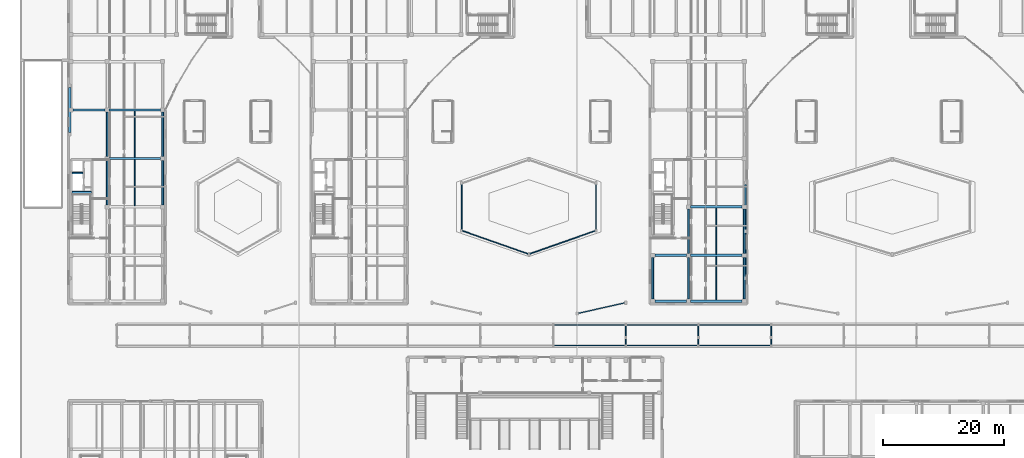
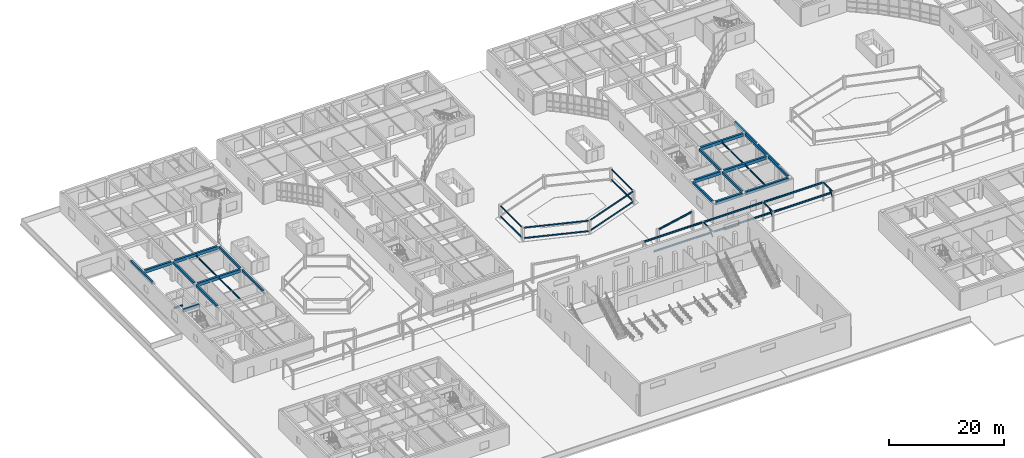
# One storey, part 22 of 114: 36 beams, 11 members.
"""IFC4 building model written with IfcOpenShell, lengths in metres."""

from ifc_helpers import new_model, si_unit, direction, frame, origin, origin_2d, place, context, subcontext, project, spatial, rectangle, hollow_rectangle, i_section, extrude, material, material_profile, profile_set, type_object, element, save


model = new_model("IFC4")

# Units and contexts
model_context = context("Model", 3, precision=1e-05, world=origin(), true_north=direction((0.0, 1.0)))
body_context = subcontext(model_context, "Body", "Model", "MODEL_VIEW")
ifc_project = project(units=[si_unit("LENGTHUNIT", "METRE"), si_unit("AREAUNIT", "SQUARE_METRE"), si_unit("VOLUMEUNIT", "CUBIC_METRE"), si_unit("PLANEANGLEUNIT", "RADIAN"), si_unit("MASSUNIT", "GRAM", prefix="KILO")], contexts=[model_context])

# Site, building, storey
site_placement = place(None, origin())
site = spatial("IfcSite", under=ifc_project, at=site_placement, CompositionType="ELEMENT")
building_placement = place(site_placement, origin())
building = spatial("IfcBuilding", under=site, at=building_placement, Name="Keldmere Railside Commons", CompositionType="ELEMENT")
storey_placement = place(building_placement, origin())
storey = spatial("IfcBuildingStorey", under=building, at=storey_placement, Name="L00", CompositionType="ELEMENT", Elevation=0.0)

# Members
ifc_material_1 = material(Name="Steel F-36 (S355)", Category="steel")
ifc_material_profile_1 = material_profile(ifc_material_1, hollow_rectangle(XDim=0.14990234375, YDim=0.25, WallThickness=0.010009765625, at=origin_2d()), Name="RHS-250x150x10")
ifc_profile_set_1 = profile_set([ifc_material_profile_1], Name="Steel F-36 (S355)")
member_type_1 = type_object("IfcMemberType", Name="Balcony Continuous Planted Trough RHS250x150", PredefinedType="CHORD", material=ifc_profile_set_1)
for number, where, z_axis, x_axis, name in (
    (1, (73.0283203125, 68.060302734375, 0.449951171875), (0.943312144893, -0.331906910591, 0.0), (0.331906910591, 0.943312144893, 0.0), "PLT-1 MEM-HEXPLT-0069"),
    (2, (73.0283203125, 68.060302734375, 2.64990234375), (0.943312144893, -0.331906910591, 0.0), (0.331906910591, 0.943312144893, 0.0), "PLT-1 MEM-HEXPLT-0070"),
    (3, (84.11328125, 64.23974609375, 0.449951171875), (0.943312144893, 0.331906910591, 0.0), (-0.331906910591, 0.943312144893, 0.0), "PLT-1 MEM-HEXPLT-0071"),
    (4, (84.11328125, 64.23974609375, 2.64990234375), (0.943312144893, 0.331906910591, 0.0), (-0.331906910591, 0.943312144893, 0.0), "PLT-1 MEM-HEXPLT-0072"),
):
    element("IfcMember", number, at=place(storey_placement, frame(where, z_axis=z_axis, x_axis=x_axis)), inside=storey, type_object=member_type_1, Name=name, PredefinedType="CHORD", context=body_context, shape_type="SweptSolid", body=[
        extrude(hollow_rectangle(XDim=0.14990234375, YDim=0.25, WallThickness=0.010009765625, at=origin_2d()), origin(), (0.0, 0.0, 1.0), 11.510986328125),
    ])
for number, where, z_axis, x_axis, name in (
    (5, (95.0849609375, 68.219970703125, 0.449951171875), (0.0, 1.0, 0.0), (-1.0, 0.0, 0.0), "PLT-1 MEM-HEXPLT-0073"),
    (6, (95.0849609375, 68.219970703125, 2.64990234375), (0.0, 1.0, 0.0), (-1.0, 0.0, 0.0), "PLT-1 MEM-HEXPLT-0074"),
    (7, (72.9150390625, 75.780029296875, 0.449951171875), (0.0, -1.0, 0.0), (1.0, 0.0, 0.0), "PLT-1 MEM-HEXPLT-0079"),
    (8, (72.9150390625, 75.780029296875, 2.64990234375), (0.0, -1.0, 0.0), (1.0, 0.0, 0.0), "PLT-1 MEM-HEXPLT-0080"),
):
    element("IfcMember", number, at=place(storey_placement, frame(where, z_axis=z_axis, x_axis=x_axis)), inside=storey, type_object=member_type_1, Name=name, PredefinedType="CHORD", context=body_context, shape_type="SweptSolid", body=[
        extrude(hollow_rectangle(XDim=0.14990234375, YDim=0.25, WallThickness=0.010009765625, at=origin_2d()), origin(), (0.0, 0.0, 1.0), 7.56005859375),
    ])

# Beams
ifc_material_profile_2 = material_profile(ifc_material_1, i_section(OverallWidth=0.169921875, OverallDepth=0.360107421875, WebThickness=0.008056640625, FlangeThickness=0.0126953125, at=origin_2d()), Name="IPE-360")
ifc_profile_set_2 = profile_set([ifc_material_profile_2], Name="Steel F-36 (S355)")
beam_type_1 = type_object("IfcBeamType", Name="Colonnade Canopy Girder IPE360", PredefinedType="BEAM", material=ifc_profile_set_2)
beam_1_placement = place(storey_placement, frame((88.159912109375, 49.10009765625, 3.830078125), z_axis=(1.0, 0.0, 0.0), x_axis=(0.0, 1.0, 0.0)))
element("IfcBeam", 9, at=beam_1_placement, inside=storey, type_object=beam_type_1, Name="CNB-1 BM-L00-2682", PredefinedType="BEAM", context=body_context, shape_type="SweptSolid", body=[
    extrude(i_section(OverallWidth=0.169921875, OverallDepth=0.360107421875, WebThickness=0.008056640625, FlangeThickness=0.0126953125, at=origin_2d()), origin(), (0.0, 0.0, 1.0), 11.68017578125),
])
beam_2_placement = place(storey_placement, frame((88.135009765625, 52.5, 3.830078125), z_axis=(1.0, 0.0, 0.0), x_axis=(0.0, 1.0, 0.0)))
element("IfcBeam", 10, at=beam_2_placement, inside=storey, type_object=beam_type_1, Name="CNB-1 BM-L00-2683", PredefinedType="BEAM", context=body_context, shape_type="SweptSolid", body=[
    extrude(i_section(OverallWidth=0.169921875, OverallDepth=0.360107421875, WebThickness=0.008056640625, FlangeThickness=0.0126953125, at=origin_2d()), origin(), (0.0, 0.0, 1.0), 11.72998046875),
])
beam_3_placement = place(storey_placement, frame((100.159912109375, 49.10009765625, 3.830078125), z_axis=(1.0, 0.0, 0.0), x_axis=(0.0, 1.0, 0.0)))
element("IfcBeam", 11, at=beam_3_placement, inside=storey, type_object=beam_type_1, Name="CNB-1 BM-L00-2684", PredefinedType="BEAM", context=body_context, shape_type="SweptSolid", body=[
    extrude(i_section(OverallWidth=0.169921875, OverallDepth=0.360107421875, WebThickness=0.008056640625, FlangeThickness=0.0126953125, at=origin_2d()), origin(), (0.0, 0.0, 1.0), 11.68017578125),
])
beam_4_placement = place(storey_placement, frame((100.135009765625, 52.5, 3.830078125), z_axis=(1.0, 0.0, 0.0), x_axis=(0.0, 1.0, 0.0)))
element("IfcBeam", 12, at=beam_4_placement, inside=storey, type_object=beam_type_1, Name="CNB-1 BM-L00-2685", PredefinedType="BEAM", context=body_context, shape_type="SweptSolid", body=[
    extrude(i_section(OverallWidth=0.169921875, OverallDepth=0.360107421875, WebThickness=0.008056640625, FlangeThickness=0.0126953125, at=origin_2d()), origin(), (0.0, 0.0, 1.0), 11.72998046875),
])
beam_5_placement = place(storey_placement, frame((112.159912109375, 49.10009765625, 3.830078125), z_axis=(1.0, 0.0, 0.0), x_axis=(0.0, 1.0, 0.0)))
element("IfcBeam", 13, at=beam_5_placement, inside=storey, type_object=beam_type_1, Name="CNB-1 BM-L00-2686", PredefinedType="BEAM", context=body_context, shape_type="SweptSolid", body=[
    extrude(i_section(OverallWidth=0.169921875, OverallDepth=0.360107421875, WebThickness=0.008056640625, FlangeThickness=0.0126953125, at=origin_2d()), origin(), (0.0, 0.0, 1.0), 11.68017578125),
])
beam_6_placement = place(storey_placement, frame((112.135009765625, 52.5, 3.830078125), z_axis=(1.0, 0.0, 0.0), x_axis=(0.0, 1.0, 0.0)))
element("IfcBeam", 14, at=beam_6_placement, inside=storey, type_object=beam_type_1, Name="CNB-1 BM-L00-2687", PredefinedType="BEAM", context=body_context, shape_type="SweptSolid", body=[
    extrude(i_section(OverallWidth=0.169921875, OverallDepth=0.360107421875, WebThickness=0.008056640625, FlangeThickness=0.0126953125, at=origin_2d()), origin(), (0.0, 0.0, 1.0), 11.72998046875),
])
beam_7_placement = place(storey_placement, frame((92.195068359375, 54.44384765625, 3.830078125), z_axis=(0.975611431841, 0.219504747241, 0.0), x_axis=(-0.219504747241, 0.975611431841, 0.0)))
element("IfcBeam", 15, at=beam_7_placement, inside=storey, type_object=beam_type_1, Name="CNB-1 BM-L00-2717", PredefinedType="BEAM", context=body_context, shape_type="SweptSolid", body=[
    extrude(i_section(OverallWidth=0.169921875, OverallDepth=0.360107421875, WebThickness=0.008056640625, FlangeThickness=0.0126953125, at=origin_2d()), origin(), (0.0, 0.0, 1.0), 7.800048828125),
])

# Member
ifc_material_profile_3 = material_profile(ifc_material_1, hollow_rectangle(XDim=0.1201171875, YDim=0.199951171875, WallThickness=0.008056640625, at=origin_2d()), Name="RHS-200x120x8")
ifc_profile_set_3 = profile_set([ifc_material_profile_3], Name="Steel F-36 (S355)")
member_type_2 = type_object("IfcMemberType", Name="Colonnade Canopy Raking Strut RHS200x120", PredefinedType="STRUT", material=ifc_profile_set_3)
member_placement = place(storey_placement, frame((112.0, 49.159912109375, 2.75), z_axis=(0.0, 0.757989431665, 0.65226683304), x_axis=(-1.0, 0.0, 0.0)))
element("IfcMember", 16, at=member_placement, inside=storey, type_object=member_type_2, Name="STR-1 MEM-STR-046", PredefinedType="STRUT", context=body_context, shape_type="SweptSolid", body=[
    extrude(hollow_rectangle(XDim=0.1201171875, YDim=0.199951171875, WallThickness=0.008056640625, at=origin_2d()), origin(), (0.0, 0.0, 1.0), 1.701904296875),
])

# Beams
ifc_material_profile_4 = material_profile(ifc_material_1, hollow_rectangle(XDim=0.14990234375, YDim=0.25, WallThickness=0.010009765625, at=origin_2d()), Name="RHS-250x150x10")
ifc_profile_set_4 = profile_set([ifc_material_profile_4], Name="Steel F-36 (S355)")
beam_type_2 = type_object("IfcBeamType", Name="Colonnade Transverse Tie RHS250x150", PredefinedType="BEAM", material=ifc_profile_set_4)
for number, where, z_axis, x_axis, name in (
    (17, (100.0, 49.260009765625, 3.8798828125), (0.0, 1.0, 0.0), (-1.0, 0.0, 0.0), "CNB-2 BM-L00-2703"),
    (18, (112.0, 49.260009765625, 3.8798828125), (0.0, 1.0, 0.0), (-1.0, 0.0, 0.0), "CNB-2 BM-L00-2704"),
    (19, (124.0, 49.260009765625, 3.8798828125), (0.0, 1.0, 0.0), (-1.0, 0.0, 0.0), "CNB-2 BM-L00-2705"),
):
    element("IfcBeam", number, at=place(storey_placement, frame(where, z_axis=z_axis, x_axis=x_axis)), inside=storey, type_object=beam_type_2, Name=name, PredefinedType="BEAM", context=body_context, shape_type="SweptSolid", body=[
        extrude(hollow_rectangle(XDim=0.14990234375, YDim=0.25, WallThickness=0.010009765625, at=origin_2d()), origin(), (0.0, 0.0, 1.0), 3.10498046875),
    ])
ifc_material_2 = material(Name="Concrete H-35 (C35/45)", Category="concrete")
ifc_material_profile_5 = material_profile(ifc_material_2, rectangle(XDim=0.300048828125, YDim=0.64990234375, at=origin_2d()), Name="RC-300x650")
ifc_profile_set_5 = profile_set([ifc_material_profile_5], Name="Concrete H-35 (C35/45)")
beam_type_3 = type_object("IfcBeamType", Name="Core Coupling RC Beam 300x650", PredefinedType="BEAM", material=ifc_profile_set_5)
beam_8_placement = place(storey_placement, frame((8.590087890625, 74.39990234375, 3.8349609375), z_axis=(1.0, 0.0, 0.0), x_axis=(0.0, 1.0, 0.0)))
element("IfcBeam", 20, at=beam_8_placement, inside=storey, type_object=beam_type_3, Name="CB-1 BM-L00-2539", PredefinedType="BEAM", context=body_context, shape_type="SweptSolid", body=[
    extrude(rectangle(XDim=0.300048828125, YDim=0.64990234375, at=origin_2d()), origin(), (0.0, 0.0, 1.0), 3.18994140625),
])

# Members
ifc_material_profile_6 = material_profile(ifc_material_1, hollow_rectangle(XDim=0.10009765625, YDim=0.159912109375, WallThickness=0.008056640625, at=origin_2d()), Name="RHS-160x100x8")
ifc_profile_set_6 = profile_set([ifc_material_profile_6], Name="Steel F-36 (S355)")
member_type_3 = type_object("IfcMemberType", Name="Entrance Marquee Strut RHS160x100", PredefinedType="STRUT", material=ifc_profile_set_6)
for number, where, z_axis, x_axis, name in (
    (21, (100.0, 49.159912109375, 2.75), (0.0, 0.757989431665, 0.65226683304), (-1.0, 0.0, 0.0), "STR-2 MEM-STR-045"),
    (22, (124.0, 49.159912109375, 2.75), (0.0, 0.757989431665, 0.65226683304), (-1.0, 0.0, 0.0), "STR-2 MEM-STR-047"),
):
    element("IfcMember", number, at=place(storey_placement, frame(where, z_axis=z_axis, x_axis=x_axis)), inside=storey, type_object=member_type_3, Name=name, PredefinedType="STRUT", context=body_context, shape_type="SweptSolid", body=[
        extrude(hollow_rectangle(XDim=0.10009765625, YDim=0.159912109375, WallThickness=0.008056640625, at=origin_2d()), origin(), (0.0, 0.0, 1.0), 1.701904296875),
    ])

# Beams
ifc_material_3 = material(Name="Concrete H-30 (C30/37)", Category="concrete")
ifc_material_profile_7 = material_profile(ifc_material_3, rectangle(XDim=0.25, YDim=0.35009765625, at=origin_2d()), Name="RC-250x350")
ifc_profile_set_7 = profile_set([ifc_material_profile_7], Name="Concrete H-30 (C30/37)")
beam_type_4 = type_object("IfcBeamType", Name="Masonry Opening RC Lintel 250x350", PredefinedType="LINTEL", material=ifc_profile_set_7)
beam_9_placement = place(storey_placement, frame((8.590087890625, 77.60009765625, 2.425048828125), z_axis=(1.0, 0.0, 0.0), x_axis=(0.0, 1.0, 0.0)))
element("IfcBeam", 23, at=beam_9_placement, inside=storey, type_object=beam_type_4, Name="LNT-1 BM-L00-2540", PredefinedType="LINTEL", context=body_context, shape_type="SweptSolid", body=[
    extrude(rectangle(XDim=0.25, YDim=0.35009765625, at=origin_2d()), origin(), (0.0, 0.0, 1.0), 1.809814453125),
])
ifc_material_profile_8 = material_profile(ifc_material_1, i_section(OverallWidth=0.14990234375, OverallDepth=0.300048828125, WebThickness=0.007080078125, FlangeThickness=0.0107421875, at=origin_2d()), Name="IPE-300")
ifc_profile_set_8 = profile_set([ifc_material_profile_8], Name="Steel F-36 (S355)")
beam_type_5 = type_object("IfcBeamType", Name="Podium & Arcade Steel Joist IPE300", PredefinedType="JOIST", material=ifc_profile_set_8)
beam_10_placement = place(storey_placement, frame((114.949951171875, 56.64990234375, 3.739990234375), z_axis=(0.0, 1.0, 0.0), x_axis=(-1.0, 0.0, 0.0)))
element("IfcBeam", 24, at=beam_10_placement, inside=storey, type_object=beam_type_5, Name="JST-1 BM-L00-0697", PredefinedType="JOIST", context=body_context, shape_type="SweptSolid", body=[
    extrude(i_section(OverallWidth=0.14990234375, OverallDepth=0.300048828125, WebThickness=0.007080078125, FlangeThickness=0.0107421875, at=origin_2d()), origin(), (0.0, 0.0, 1.0), 7.150146484375),
])
for number, where, z_axis, x_axis, name in (
    (25, (114.949951171875, 64.199951171875, 3.739990234375), (0.0, 1.0, 0.0), (-1.0, 0.0, 0.0), "JST-1 BM-L00-0701"),
    (26, (18.949951171875, 72.199951171875, 3.739990234375), (0.0, 1.0, 0.0), (-1.0, 0.0, 0.0), "JST-1 BM-L00-0702"),
    (27, (18.949951171875, 80.199951171875, 3.739990234375), (0.0, 1.0, 0.0), (-1.0, 0.0, 0.0), "JST-1 BM-L00-0705"),
):
    element("IfcBeam", number, at=place(storey_placement, frame(where, z_axis=z_axis, x_axis=x_axis)), inside=storey, type_object=beam_type_5, Name=name, PredefinedType="JOIST", context=body_context, shape_type="SweptSolid", body=[
        extrude(i_section(OverallWidth=0.14990234375, OverallDepth=0.300048828125, WebThickness=0.007080078125, FlangeThickness=0.0107421875, at=origin_2d()), origin(), (0.0, 0.0, 1.0), 7.60009765625),
    ])
ifc_material_profile_9 = material_profile(ifc_material_3, rectangle(XDim=0.35009765625, YDim=0.60009765625, at=origin_2d()), Name="RC-350x600")
ifc_profile_set_9 = profile_set([ifc_material_profile_9], Name="Concrete H-30 (C30/37)")
beam_type_6 = type_object("IfcBeamType", Name="Residential Chord RC Beam 350x600", PredefinedType="BEAM", material=ifc_profile_set_9)
beam_11_placement = place(storey_placement, frame((8.219970703125, 84.27490234375, 3.860107421875), z_axis=(0.0, 1.0, 0.0), x_axis=(-1.0, 0.0, 0.0)))
element("IfcBeam", 28, at=beam_11_placement, inside=storey, type_object=beam_type_6, Name="BG-4 BM-L00-0547", PredefinedType="BEAM", context=body_context, shape_type="SweptSolid", body=[
    extrude(rectangle(XDim=0.35009765625, YDim=0.60009765625, at=origin_2d()), origin(), (0.0, 0.0, 1.0), 7.4501953125),
])
ifc_material_profile_10 = material_profile(ifc_material_3, rectangle(XDim=0.39990234375, YDim=0.64990234375, at=origin_2d()), Name="RC-400x650")
ifc_profile_set_10 = profile_set([ifc_material_profile_10], Name="Concrete H-30 (C30/37)")
beam_type_7 = type_object("IfcBeamType", Name="Residential Spine RC Girder 400x650", PredefinedType="BEAM", material=ifc_profile_set_10)
beam_12_placement = place(storey_placement, frame((104.800048828125, 56.449951171875, 3.8349609375), z_axis=(1.0, 0.0, 0.0), x_axis=(0.0, 1.0, 0.0)))
element("IfcBeam", 29, at=beam_12_placement, inside=storey, type_object=beam_type_7, Name="BG-3 BM-L00-0463", PredefinedType="BEAM", context=body_context, shape_type="SweptSolid", body=[
    extrude(rectangle(XDim=0.39990234375, YDim=0.64990234375, at=origin_2d()), origin(), (0.0, 0.0, 1.0), 5.199951171875),
])
beam_13_placement = place(storey_placement, frame((110.699951171875, 56.449951171875, 3.8349609375), z_axis=(1.0, 0.0, 0.0), x_axis=(0.0, 1.0, 0.0)))
element("IfcBeam", 30, at=beam_13_placement, inside=storey, type_object=beam_type_7, Name="BG-3 BM-L00-0464", PredefinedType="BEAM", context=body_context, shape_type="SweptSolid", body=[
    extrude(rectangle(XDim=0.39990234375, YDim=0.64990234375, at=origin_2d()), origin(), (0.0, 0.0, 1.0), 8.5),
])
beam_14_placement = place(storey_placement, frame((104.800048828125, 64.0, 3.8349609375), z_axis=(1.0, 0.0, 0.0), x_axis=(0.0, 1.0, 0.0)))
element("IfcBeam", 31, at=beam_14_placement, inside=storey, type_object=beam_type_7, Name="BG-3 BM-L00-0471", PredefinedType="BEAM", context=body_context, shape_type="SweptSolid", body=[
    extrude(rectangle(XDim=0.39990234375, YDim=0.64990234375, at=origin_2d()), origin(), (0.0, 0.0, 1.0), 5.199951171875),
])
for number, where, z_axis, x_axis, name in (
    (32, (110.699951171875, 64.0, 3.8349609375), (1.0, 0.0, 0.0), (0.0, 1.0, 0.0), "BG-3 BM-L00-0472"),
    (33, (110.699951171875, 72.0, 3.8349609375), (1.0, 0.0, 0.0), (0.0, 1.0, 0.0), "BG-3 BM-L00-0477"),
):
    element("IfcBeam", number, at=place(storey_placement, frame(where, z_axis=z_axis, x_axis=x_axis)), inside=storey, type_object=beam_type_7, Name=name, PredefinedType="BEAM", context=body_context, shape_type="SweptSolid", body=[
        extrude(rectangle(XDim=0.39990234375, YDim=0.64990234375, at=origin_2d()), origin(), (0.0, 0.0, 1.0), 8.5),
    ])
beam_15_placement = place(storey_placement, frame((14.675048828125, 80.0, 3.8349609375), z_axis=(1.0, 0.0, 0.0), x_axis=(0.0, 1.0, 0.0)))
element("IfcBeam", 34, at=beam_15_placement, inside=storey, type_object=beam_type_7, Name="BG-3 BM-L00-0479", PredefinedType="BEAM", context=body_context, shape_type="SweptSolid", body=[
    extrude(rectangle(XDim=0.39990234375, YDim=0.64990234375, at=origin_2d()), origin(), (0.0, 0.0, 1.0), 8.550048828125),
])
beam_16_placement = place(storey_placement, frame((8.77490234375, 88.0, 3.8349609375), z_axis=(1.0, 0.0, 0.0), x_axis=(0.0, 1.0, 0.0)))
element("IfcBeam", 35, at=beam_16_placement, inside=storey, type_object=beam_type_7, Name="BG-3 BM-L00-0483", PredefinedType="BEAM", context=body_context, shape_type="SweptSolid", body=[
    extrude(rectangle(XDim=0.39990234375, YDim=0.64990234375, at=origin_2d()), origin(), (0.0, 0.0, 1.0), 5.25),
])
beam_17_placement = place(storey_placement, frame((14.675048828125, 88.0, 3.8349609375), z_axis=(1.0, 0.0, 0.0), x_axis=(0.0, 1.0, 0.0)))
element("IfcBeam", 36, at=beam_17_placement, inside=storey, type_object=beam_type_7, Name="BG-3 BM-L00-0484", PredefinedType="BEAM", context=body_context, shape_type="SweptSolid", body=[
    extrude(rectangle(XDim=0.39990234375, YDim=0.64990234375, at=origin_2d()), origin(), (0.0, 0.0, 1.0), 8.550048828125),
])
ifc_material_profile_11 = material_profile(ifc_material_3, rectangle(XDim=0.300048828125, YDim=0.5, at=origin_2d()), Name="RC-300x500")
ifc_profile_set_11 = profile_set([ifc_material_profile_11], Name="Concrete H-30 (C30/37)")
beam_type_8 = type_object("IfcBeamType", Name="Secondary Frame RC Beam 300x500", PredefinedType="BEAM", material=ifc_profile_set_11)
for number, where, z_axis, x_axis, name in (
    (37, (14.35009765625, 72.324951171875, 3.909912109375), (0.0, 1.0, 0.0), (-1.0, 0.0, 0.0), "BG-5 BM-L00-0558"),
    (38, (14.35009765625, 80.324951171875, 3.909912109375), (0.0, 1.0, 0.0), (-1.0, 0.0, 0.0), "BG-5 BM-L00-0559"),
    (39, (23.550048828125, 72.324951171875, 3.909912109375), (0.0, 1.0, 0.0), (-1.0, 0.0, 0.0), "BG-5 BM-L00-0567"),
    (40, (23.550048828125, 80.324951171875, 3.909912109375), (0.0, 1.0, 0.0), (-1.0, 0.0, 0.0), "BG-5 BM-L00-0568"),
):
    element("IfcBeam", number, at=place(storey_placement, frame(where, z_axis=z_axis, x_axis=x_axis)), inside=storey, type_object=beam_type_8, Name=name, PredefinedType="BEAM", context=body_context, shape_type="SweptSolid", body=[
        extrude(rectangle(XDim=0.300048828125, YDim=0.5, at=origin_2d()), origin(), (0.0, 0.0, 1.0), 7.35009765625),
    ])
for number, where, z_axis, x_axis, name in (
    (41, (104.449951171875, 56.800048828125, 3.909912109375), (0.0, 1.0, 0.0), (-1.0, 0.0, 0.0), "BG-5 BM-L00-0610"),
    (42, (110.35009765625, 56.800048828125, 3.909912109375), (0.0, 1.0, 0.0), (-1.0, 0.0, 0.0), "BG-5 BM-L00-0614"),
):
    element("IfcBeam", number, at=place(storey_placement, frame(where, z_axis=z_axis, x_axis=x_axis)), inside=storey, type_object=beam_type_8, Name=name, PredefinedType="BEAM", context=body_context, shape_type="SweptSolid", body=[
        extrude(rectangle(XDim=0.300048828125, YDim=0.5, at=origin_2d()), origin(), (0.0, 0.0, 1.0), 6.849853515625),
    ])
beam_18_placement = place(storey_placement, frame((110.35009765625, 64.35009765625, 3.909912109375), z_axis=(0.0, 1.0, 0.0), x_axis=(-1.0, 0.0, 0.0)))
element("IfcBeam", 43, at=beam_18_placement, inside=storey, type_object=beam_type_8, Name="BG-5 BM-L00-0615", PredefinedType="BEAM", context=body_context, shape_type="SweptSolid", body=[
    extrude(rectangle(XDim=0.300048828125, YDim=0.5, at=origin_2d()), origin(), (0.0, 0.0, 1.0), 7.2998046875),
])
beam_19_placement = place(storey_placement, frame((119.550048828125, 56.800048828125, 3.909912109375), z_axis=(0.0, 1.0, 0.0), x_axis=(-1.0, 0.0, 0.0)))
element("IfcBeam", 44, at=beam_19_placement, inside=storey, type_object=beam_type_8, Name="BG-5 BM-L00-0621", PredefinedType="BEAM", context=body_context, shape_type="SweptSolid", body=[
    extrude(rectangle(XDim=0.300048828125, YDim=0.5, at=origin_2d()), origin(), (0.0, 0.0, 1.0), 6.849853515625),
])
beam_20_placement = place(storey_placement, frame((119.550048828125, 64.35009765625, 3.909912109375), z_axis=(0.0, 1.0, 0.0), x_axis=(-1.0, 0.0, 0.0)))
element("IfcBeam", 45, at=beam_20_placement, inside=storey, type_object=beam_type_8, Name="BG-5 BM-L00-0622", PredefinedType="BEAM", context=body_context, shape_type="SweptSolid", body=[
    extrude(rectangle(XDim=0.300048828125, YDim=0.5, at=origin_2d()), origin(), (0.0, 0.0, 1.0), 7.2998046875),
])
beam_21_placement = place(storey_placement, frame((119.780029296875, 60.47509765625, 3.909912109375), z_axis=(0.0, 1.0, 0.0), x_axis=(-1.0, 0.0, 0.0)))
element("IfcBeam", 46, at=beam_21_placement, inside=storey, type_object=beam_type_8, Name="BG-5 BM-L00-0626", PredefinedType="BEAM", context=body_context, shape_type="SweptSolid", body=[
    extrude(rectangle(XDim=0.300048828125, YDim=0.5, at=origin_2d()), origin(), (0.0, 0.0, 1.0), 7.25),
])
beam_22_placement = place(storey_placement, frame((119.780029296875, 68.27490234375, 3.909912109375), z_axis=(0.0, 1.0, 0.0), x_axis=(-1.0, 0.0, 0.0)))
element("IfcBeam", 47, at=beam_22_placement, inside=storey, type_object=beam_type_8, Name="BG-5 BM-L00-0627", PredefinedType="BEAM", context=body_context, shape_type="SweptSolid", body=[
    extrude(rectangle(XDim=0.300048828125, YDim=0.5, at=origin_2d()), origin(), (0.0, 0.0, 1.0), 7.4501953125),
])

save(model, "model.ifc")
